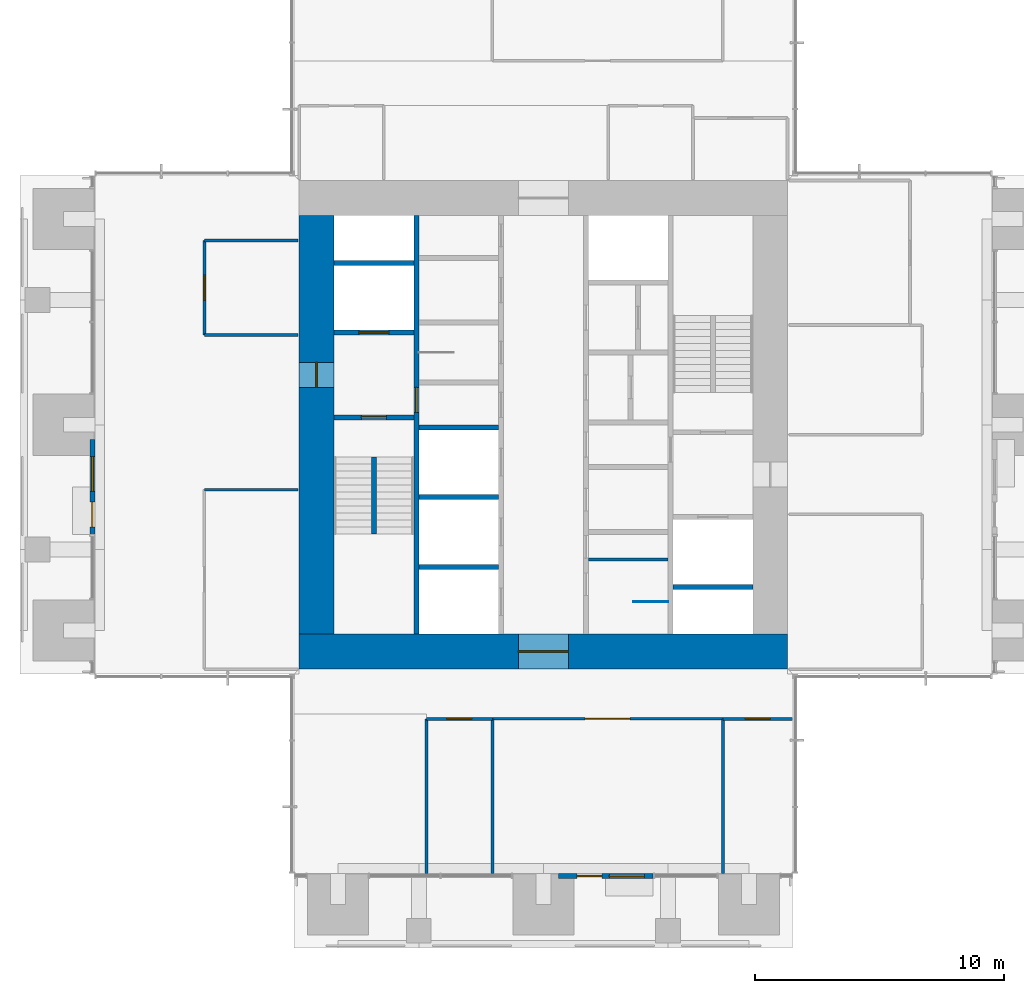
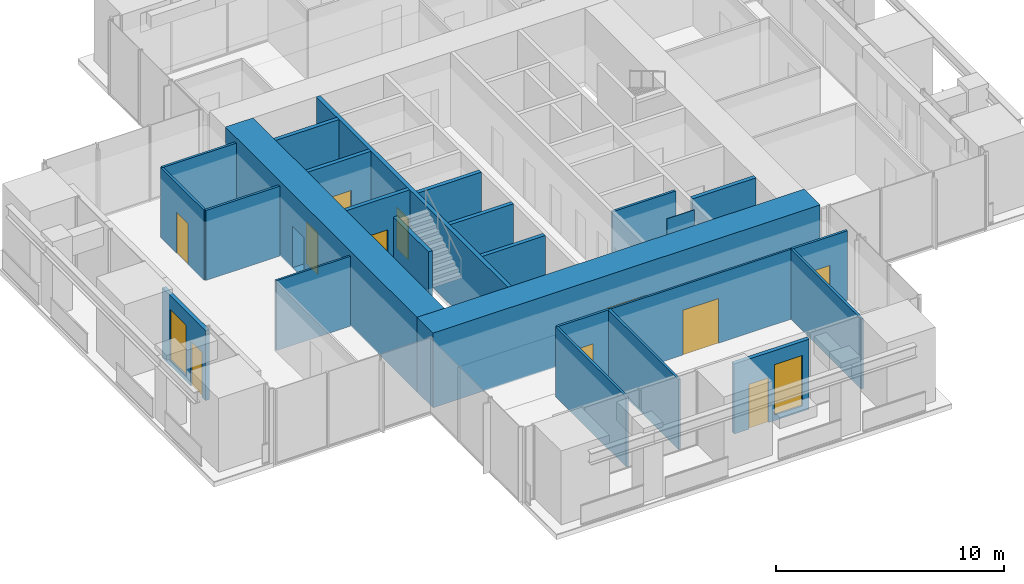
# One storey, part 12 of 17: 25 walls, 11 doors, 2 windows, 13 openings.
"""IFC4 building model written with IfcOpenShell, lengths in metres."""

from ifc_helpers import new_model, si_unit, direction, frame, frame_2d, origin, place, context, subcontext, project, spatial, rectangle, extrude, material, layer, layer_set, type_object, element, fill, save


model = new_model("IFC4")

# Units and contexts
model_context = context("Model", 3, precision=1e-05, world=origin(), true_north=direction((0.0, 1.0)))
body_context = subcontext(model_context, "Body", "Model", "MODEL_VIEW")
ifc_project = project(units=[si_unit("LENGTHUNIT", "METRE"), si_unit("AREAUNIT", "SQUARE_METRE"), si_unit("VOLUMEUNIT", "CUBIC_METRE"), si_unit("PLANEANGLEUNIT", "RADIAN"), si_unit("MASSUNIT", "GRAM", prefix="KILO")], contexts=[model_context])

# Site, building, storey
site_placement = place(None, origin())
site = spatial("IfcSite", under=ifc_project, at=site_placement, CompositionType="ELEMENT")
building_placement = place(site_placement, origin())
building = spatial("IfcBuilding", under=site, at=building_placement, Name="Svetlomir Tower", CompositionType="ELEMENT")
storey_placement = place(building_placement, frame((0.0, 0.0, 170.5)))
storey = spatial("IfcBuildingStorey", under=building, at=storey_placement, Name="L40", CompositionType="ELEMENT", Elevation=170.5)

# Wall, openings, door, window
ifc_material_1 = material(Name="Bronze anodised aluminium glazed screen", Category="aluminium")
ifc_layer_1 = layer(ifc_material_1, 0.199951171875)
ifc_layer_set_1 = layer_set([ifc_layer_1], Name="Bronze anodised aluminium glazed screen")
wall_type_1 = type_object("IfcWallType", Name="BALCONY SCREEN WALL 200", PredefinedType="USERDEFINED", material=ifc_layer_set_1)
wall_1_placement = place(storey_placement, frame((21.60009765625, 2.89990234375, 0.0), z_axis=(0.0, 0.0, 1.0), x_axis=(1.0, 0.0, 0.0)))
wall_1 = element("IfcWall", 1, at=wall_1_placement, inside=storey, type_object=wall_type_1, Name="Balcony screen S", ObjectType="GLAZED SCREEN", PredefinedType="USERDEFINED", context=body_context, shape_type="SweptSolid", body=[
    extrude(rectangle(XDim=3.7998046875, YDim=0.199951171875, at=frame_2d((1.89990234375, 0.0))), origin(), (0.0, 0.0, 1.0), 3.75),
])
opening_1_placement = place(wall_1_placement, frame((0.75, 0.0, 0.0)))
opening_1 = element("IfcOpeningElement", 2, at=opening_1_placement, cuts=wall_1, Name="Opening BD", PredefinedType="OPENING", context=body_context, shape_type="SweptSolid", body=[
    extrude(rectangle(XDim=1.0, YDim=2.39990234375, at=frame_2d((0.5, 1.199951171875))), frame((0.0, 0.10986328125, 0.0), z_axis=(0.0, -1.0, 0.0), x_axis=(1.0, 0.0, 0.0)), (0.0, 0.0, 1.0), 0.219970703125),
])
opening_2_placement = place(wall_1_placement, frame((2.050048828125, 0.0, 0.300048828125)))
opening_2 = element("IfcOpeningElement", 3, at=opening_2_placement, cuts=wall_1, Name="Opening WS2", PredefinedType="OPENING", context=body_context, shape_type="SweptSolid", body=[
    extrude(rectangle(XDim=1.39990234375, YDim=2.699951171875, at=frame_2d((0.699951171875, 1.35009765625))), frame((0.0, 0.10986328125, 0.0), z_axis=(0.0, -1.0, 0.0), x_axis=(1.0, 0.0, 0.0)), (0.0, 0.0, 1.0), 0.219970703125),
])
ifc_material_2 = material(Name="Bronze anodised aluminium glazed door", Category="aluminium")
door_type_1 = type_object("IfcDoorType", Name="BALCONY DOOR BD 1000x2400", OperationType="SINGLE_SWING_LEFT", PredefinedType="DOOR", material=ifc_material_2)
door_1_placement = place(opening_1_placement, origin())
door_1 = element("IfcDoor", 4, at=door_1_placement, inside=storey, type_object=door_type_1, Name="Balcony screen S door", OperationType="SINGLE_SWING_LEFT", OverallHeight=2.39990234375, OverallWidth=1.0, PredefinedType="DOOR", context=body_context, shape_type="SweptSolid", body=[
    extrude(rectangle(XDim=1.0, YDim=2.39990234375, at=frame_2d((0.5, 1.199951171875))), frame((0.0, 0.02490234375, 0.0), z_axis=(0.0, -1.0, 0.0), x_axis=(1.0, 0.0, 0.0)), (0.0, 0.0, 1.0), 0.050048828125),
])
fill(opening_1, door_1)
ifc_material_3 = material(Name="Bronze anodised aluminium window", Category="aluminium")
window_type = type_object("IfcWindowType", Name="SCREEN WINDOW WS2 1400x2700", PartitioningType="SINGLE_PANEL", PredefinedType="WINDOW", material=ifc_material_3)
window_1_placement = place(opening_2_placement, origin())
window_1 = element("IfcWindow", 5, at=window_1_placement, inside=storey, type_object=window_type, Name="Balcony screen S window 1", OverallHeight=2.699951171875, OverallWidth=1.39990234375, PartitioningType="SINGLE_PANEL", PredefinedType="WINDOW", context=body_context, shape_type="SweptSolid", body=[
    extrude(rectangle(XDim=1.39990234375, YDim=2.699951171875, at=frame_2d((0.699951171875, 1.35009765625))), frame((0.0, 0.030029296875, 0.0), z_axis=(0.0, -1.0, 0.0), x_axis=(1.0, 0.0, 0.0)), (0.0, 0.0, 1.0), 0.06005859375),
])
fill(opening_2, window_1)

wall_2_placement = place(storey_placement, frame((2.89990234375, 20.39990234375, 0.0), z_axis=(0.0, 0.0, 1.0), x_axis=(0.0, -1.0, 0.0)))
wall_2 = element("IfcWall", 6, at=wall_2_placement, inside=storey, type_object=wall_type_1, Name="Balcony screen W", ObjectType="GLAZED SCREEN", PredefinedType="USERDEFINED", context=body_context, shape_type="SweptSolid", body=[
    extrude(rectangle(XDim=3.7998046875, YDim=0.199951171875, at=frame_2d((1.89990234375, 0.0))), origin(), (0.0, 0.0, 1.0), 3.75),
])
opening_3_placement = place(wall_2_placement, frame((2.5, 0.0, 0.0)))
opening_3 = element("IfcOpeningElement", 7, at=opening_3_placement, cuts=wall_2, Name="Opening BD", PredefinedType="OPENING", context=body_context, shape_type="SweptSolid", body=[
    extrude(rectangle(XDim=1.0, YDim=2.39990234375, at=frame_2d((0.5, 1.199951171875))), frame((0.0, 0.10986328125, 0.0), z_axis=(0.0, -1.0, 0.0), x_axis=(1.0, 0.0, 0.0)), (0.0, 0.0, 1.0), 0.219970703125),
])
opening_4_placement = place(wall_2_placement, frame((0.675048828125, 0.0, 0.300048828125)))
opening_4 = element("IfcOpeningElement", 8, at=opening_4_placement, cuts=wall_2, Name="Opening WS2", PredefinedType="OPENING", context=body_context, shape_type="SweptSolid", body=[
    extrude(rectangle(XDim=1.39990234375, YDim=2.699951171875, at=frame_2d((0.699951171875, 1.35009765625))), frame((0.0, 0.10986328125, 0.0), z_axis=(0.0, -1.0, 0.0), x_axis=(1.0, 0.0, 0.0)), (0.0, 0.0, 1.0), 0.219970703125),
])
door_2_placement = place(opening_3_placement, origin())
door_2 = element("IfcDoor", 9, at=door_2_placement, inside=storey, type_object=door_type_1, Name="Balcony screen W door", OperationType="SINGLE_SWING_LEFT", OverallHeight=2.39990234375, OverallWidth=1.0, PredefinedType="DOOR", context=body_context, shape_type="SweptSolid", body=[
    extrude(rectangle(XDim=1.0, YDim=2.39990234375, at=frame_2d((0.5, 1.199951171875))), frame((0.0, 0.02490234375, 0.0), z_axis=(0.0, -1.0, 0.0), x_axis=(1.0, 0.0, 0.0)), (0.0, 0.0, 1.0), 0.050048828125),
])
fill(opening_3, door_2)
window_2_placement = place(opening_4_placement, origin())
window_2 = element("IfcWindow", 10, at=window_2_placement, inside=storey, type_object=window_type, Name="Balcony screen W window 1", OverallHeight=2.699951171875, OverallWidth=1.39990234375, PartitioningType="SINGLE_PANEL", PredefinedType="WINDOW", context=body_context, shape_type="SweptSolid", body=[
    extrude(rectangle(XDim=1.39990234375, YDim=2.699951171875, at=frame_2d((0.699951171875, 1.35009765625))), frame((0.0, 0.030029296875, 0.0), z_axis=(0.0, -1.0, 0.0), x_axis=(1.0, 0.0, 0.0)), (0.0, 0.0, 1.0), 0.06005859375),
])
fill(opening_4, window_2)

# Wall, opening, door
ifc_material_4 = material(Name="Concrete C60/75", Category="concrete")
ifc_layer_2 = layer(ifc_material_4, 0.199951171875)
ifc_layer_set_2 = layer_set([ifc_layer_2], Name="Concrete C60/75")
wall_type_2 = type_object("IfcWallType", Name="CORE INNER WALL 200", PredefinedType="SHEAR", material=ifc_layer_set_2)
wall_3_placement = place(storey_placement, frame((15.89990234375, 12.60009765625, -0.050048828125), z_axis=(0.0, 0.0, 1.0), x_axis=(0.0, 1.0, 0.0)))
wall_3 = element("IfcWall", 11, at=wall_3_placement, inside=storey, type_object=wall_type_2, Name="Core inner wall 15.9 L40", PredefinedType="SHEAR", context=body_context, shape_type="SweptSolid", body=[
    extrude(rectangle(XDim=16.7998046875, YDim=0.199951171875, at=frame_2d((8.39990234375, 0.0))), origin(), (0.0, 0.0, 1.0), 4.0),
])
opening_5_placement = place(wall_3_placement, frame((8.89990234375, 0.0, 0.050048828125)))
opening_5 = element("IfcOpeningElement", 12, at=opening_5_placement, cuts=wall_3, Name="Opening DF", PredefinedType="OPENING", context=body_context, shape_type="SweptSolid", body=[
    extrude(rectangle(XDim=1.0, YDim=2.199951171875, at=frame_2d((0.5, 1.10009765625))), frame((0.0, 0.10986328125, 0.0), z_axis=(0.0, -1.0, 0.0), x_axis=(1.0, 0.0, 0.0)), (0.0, 0.0, 1.0), 0.219970703125),
])
ifc_material_5 = material(Name="Steel fire door", Category="steel")
door_type_2 = type_object("IfcDoorType", Name="DOOR DF 1000x2200", OperationType="SINGLE_SWING_LEFT", PredefinedType="DOOR", material=ifc_material_5)
door_3_placement = place(opening_5_placement, origin())
door_3 = element("IfcDoor", 13, at=door_3_placement, inside=storey, type_object=door_type_2, Name="Core corridor west door L40", OperationType="SINGLE_SWING_LEFT", OverallHeight=2.199951171875, OverallWidth=1.0, PredefinedType="DOOR", context=body_context, shape_type="SweptSolid", body=[
    extrude(rectangle(XDim=1.0, YDim=2.199951171875, at=frame_2d((0.5, 1.10009765625))), frame((0.0, 0.02490234375, 0.0), z_axis=(0.0, -1.0, 0.0), x_axis=(1.0, 0.0, 0.0)), (0.0, 0.0, 1.0), 0.050048828125),
])
fill(opening_5, door_3)

wall_4_placement = place(storey_placement, frame((12.60009765625, 21.300048828125, -0.050048828125), z_axis=(0.0, 0.0, 1.0), x_axis=(1.0, 0.0, 0.0)))
wall_4 = element("IfcWall", 14, at=wall_4_placement, inside=storey, type_object=wall_type_2, Name="Core inner wall 12.6-15.8/21.3 L40", PredefinedType="SHEAR", context=body_context, shape_type="SweptSolid", body=[
    extrude(rectangle(XDim=3.199951171875, YDim=0.199951171875, at=frame_2d((1.60009765625, 0.0))), origin(), (0.0, 0.0, 1.0), 4.0),
])
opening_6_placement = place(wall_4_placement, frame((1.10009765625, 0.0, 0.050048828125)))
opening_6 = element("IfcOpeningElement", 15, at=opening_6_placement, cuts=wall_4, Name="Opening DF", PredefinedType="OPENING", context=body_context, shape_type="SweptSolid", body=[
    extrude(rectangle(XDim=1.0, YDim=2.199951171875, at=frame_2d((0.5, 1.10009765625))), frame((0.0, 0.10986328125, 0.0), z_axis=(0.0, -1.0, 0.0), x_axis=(1.0, 0.0, 0.0)), (0.0, 0.0, 1.0), 0.219970703125),
])
door_4_placement = place(opening_6_placement, origin())
door_4 = element("IfcDoor", 16, at=door_4_placement, inside=storey, type_object=door_type_2, Name="Stair S1 door L40", OperationType="SINGLE_SWING_RIGHT", OverallHeight=2.199951171875, OverallWidth=1.0, PredefinedType="DOOR", context=body_context, shape_type="SweptSolid", body=[
    extrude(rectangle(XDim=1.0, YDim=2.199951171875, at=frame_2d((0.5, 1.10009765625))), frame((0.0, 0.02490234375, 0.0), z_axis=(0.0, -1.0, 0.0), x_axis=(1.0, 0.0, 0.0)), (0.0, 0.0, 1.0), 0.050048828125),
])
fill(opening_6, door_4)

wall_5_placement = place(storey_placement, frame((12.60009765625, 24.699951171875, -0.050048828125), z_axis=(0.0, 0.0, 1.0), x_axis=(1.0, 0.0, 0.0)))
wall_5 = element("IfcWall", 17, at=wall_5_placement, inside=storey, type_object=wall_type_2, Name="Core inner wall 12.6-15.8/24.7 L40", PredefinedType="SHEAR", context=body_context, shape_type="SweptSolid", body=[
    extrude(rectangle(XDim=3.199951171875, YDim=0.199951171875, at=frame_2d((1.60009765625, 0.0))), origin(), (0.0, 0.0, 1.0), 4.0),
])
opening_7_placement = place(wall_5_placement, frame((1.0, 0.0, 0.050048828125)))
opening_7 = element("IfcOpeningElement", 18, at=opening_7_placement, cuts=wall_5, Name="Opening LD3", PredefinedType="OPENING", context=body_context, shape_type="SweptSolid", body=[
    extrude(rectangle(XDim=1.199951171875, YDim=2.199951171875, at=frame_2d((0.60009765625, 1.10009765625))), frame((0.0, 0.10986328125, 0.0), z_axis=(0.0, -1.0, 0.0), x_axis=(1.0, 0.0, 0.0)), (0.0, 0.0, 1.0), 0.219970703125),
])
ifc_material_6 = material(Name="Stainless steel fire-rated landing door", Category="steel")
door_type_3 = type_object("IfcDoorType", Name="FIREFIGHTING LIFT LANDING DOOR LD3 1200x2200", OperationType="DOUBLE_DOOR_SLIDING", PredefinedType="DOOR", material=ifc_material_6)
door_5_placement = place(opening_7_placement, origin())
door_5 = element("IfcDoor", 19, at=door_5_placement, inside=storey, type_object=door_type_3, Name="Landing door lift FL1 L40", OperationType="DOUBLE_DOOR_SLIDING", OverallHeight=2.199951171875, OverallWidth=1.199951171875, PredefinedType="DOOR", context=body_context, shape_type="SweptSolid", body=[
    extrude(rectangle(XDim=1.199951171875, YDim=2.199951171875, at=frame_2d((0.60009765625, 1.10009765625))), frame((0.0, 0.02490234375, 0.0), z_axis=(0.0, -1.0, 0.0), x_axis=(1.0, 0.0, 0.0)), (0.0, 0.0, 1.0), 0.050048828125),
])
fill(opening_7, door_5)

# Walls
for number, where, z_axis, x_axis, name in (
    (20, (12.60009765625, 27.5, -0.050048828125), (0.0, 0.0, 1.0), (1.0, 0.0, 0.0), "Core inner wall 12.6-15.8/27.5 L40"),
    (21, (16.0, 15.300048828125, -0.050048828125), (0.0, 0.0, 1.0), (1.0, 0.0, 0.0), "Core inner wall 16-19.2/15.3 L40"),
    (22, (16.0, 18.10009765625, -0.050048828125), (0.0, 0.0, 1.0), (1.0, 0.0, 0.0), "Core inner wall 16-19.2/18.1 L40"),
    (23, (16.0, 20.89990234375, -0.050048828125), (0.0, 0.0, 1.0), (1.0, 0.0, 0.0), "Core inner wall 16-19.2/20.9 L40"),
    (24, (26.199951171875, 14.5, -0.050048828125), (0.0, 0.0, 1.0), (1.0, 0.0, 0.0), "Core inner wall 26.2-29.4/14.5 L40"),
):
    element("IfcWall", number, at=place(storey_placement, frame(where, z_axis=z_axis, x_axis=x_axis)), inside=storey, type_object=wall_type_2, Name=name, PredefinedType="SHEAR", context=body_context, shape_type="SweptSolid", body=[
        extrude(rectangle(XDim=3.199951171875, YDim=0.199951171875, at=frame_2d((1.60009765625, 0.0))), origin(), (0.0, 0.0, 1.0), 4.0),
    ])

# Wall, opening, door
ifc_material_7 = material(Name="Concrete C60/75", Category="concrete")
ifc_layer_3 = layer(ifc_material_7, 1.39990234375)
ifc_layer_set_3 = layer_set([ifc_layer_3], Name="Concrete C60/75")
wall_type_3 = type_object("IfcWallType", Name="CORE WALL 1400", PredefinedType="SHEAR", material=ifc_layer_set_3)
wall_6_placement = place(storey_placement, frame((11.199951171875, 11.89990234375, -0.050048828125), z_axis=(0.0, 0.0, 1.0), x_axis=(1.0, 0.0, 0.0)))
wall_6 = element("IfcWall", 25, at=wall_6_placement, inside=storey, type_object=wall_type_3, Name="Core wall south L40", PredefinedType="SHEAR", context=body_context, shape_type="SweptSolid", body=[
    extrude(rectangle(XDim=19.60009765625, YDim=1.39990234375, at=frame_2d((9.800048828125, 0.0))), origin(), (0.0, 0.0, 1.0), 4.0),
])
opening_8_placement = place(wall_6_placement, frame((8.800048828125, 0.0, 0.050048828125)))
opening_8 = element("IfcOpeningElement", 26, at=opening_8_placement, cuts=wall_6, Name="Opening DL", PredefinedType="OPENING", context=body_context, shape_type="SweptSolid", body=[
    extrude(rectangle(XDim=2.0, YDim=2.199951171875, at=frame_2d((1.0, 1.10009765625))), frame((0.0, 0.7099609375, 0.0), z_axis=(0.0, -1.0, 0.0), x_axis=(1.0, 0.0, 0.0)), (0.0, 0.0, 1.0), 1.419921875),
])
ifc_material_8 = material(Name="Steel fire door", Category="steel")
door_type_4 = type_object("IfcDoorType", Name="DOOR DL 2000x2200", OperationType="DOUBLE_DOOR_SINGLE_SWING", PredefinedType="DOOR", material=ifc_material_8)
door_6_placement = place(opening_8_placement, origin())
door_6 = element("IfcDoor", 27, at=door_6_placement, inside=storey, type_object=door_type_4, Name="Lift lobby south door L40", OperationType="DOUBLE_DOOR_SINGLE_SWING", OverallHeight=2.199951171875, OverallWidth=2.0, PredefinedType="DOOR", context=body_context, shape_type="SweptSolid", body=[
    extrude(rectangle(XDim=2.0, YDim=2.199951171875, at=frame_2d((1.0, 1.10009765625))), frame((0.0, 0.02490234375, 0.0), z_axis=(0.0, -1.0, 0.0), x_axis=(1.0, 0.0, 0.0)), (0.0, 0.0, 1.0), 0.050048828125),
])
fill(opening_8, door_6)

wall_7_placement = place(storey_placement, frame((11.89990234375, 12.60009765625, -0.050048828125), z_axis=(0.0, 0.0, 1.0), x_axis=(0.0, 1.0, 0.0)))
wall_7 = element("IfcWall", 28, at=wall_7_placement, inside=storey, type_object=wall_type_3, Name="Core wall west L40", PredefinedType="SHEAR", context=body_context, shape_type="SweptSolid", body=[
    extrude(rectangle(XDim=16.7998046875, YDim=1.39990234375, at=frame_2d((8.39990234375, 0.0))), origin(), (0.0, 0.0, 1.0), 4.0),
])
opening_9_placement = place(wall_7_placement, frame((9.89990234375, 0.0, 0.050048828125)))
opening_9 = element("IfcOpeningElement", 29, at=opening_9_placement, cuts=wall_7, Name="Opening DF", PredefinedType="OPENING", context=body_context, shape_type="SweptSolid", body=[
    extrude(rectangle(XDim=1.0, YDim=2.199951171875, at=frame_2d((0.5, 1.10009765625))), frame((0.0, 0.7099609375, 0.0), z_axis=(0.0, -1.0, 0.0), x_axis=(1.0, 0.0, 0.0)), (0.0, 0.0, 1.0), 1.419921875),
])
door_7_placement = place(opening_9_placement, origin())
door_7 = element("IfcDoor", 30, at=door_7_placement, inside=storey, type_object=door_type_2, Name="Firefighting lobby west door L40", OperationType="SINGLE_SWING_RIGHT", OverallHeight=2.199951171875, OverallWidth=1.0, PredefinedType="DOOR", context=body_context, shape_type="SweptSolid", body=[
    extrude(rectangle(XDim=1.0, YDim=2.199951171875, at=frame_2d((0.5, 1.10009765625))), frame((0.0, 0.02490234375, 0.0), z_axis=(0.0, -1.0, 0.0), x_axis=(1.0, 0.0, 0.0)), (0.0, 0.0, 1.0), 0.050048828125),
])
fill(opening_9, door_7)

# Wall
ifc_material_9 = material(Name="Framed laminated glass partition", Category="glass")
ifc_layer_4 = layer(ifc_material_9, 0.10009765625)
ifc_layer_set_4 = layer_set([ifc_layer_4], Name="Framed laminated glass partition")
wall_type_4 = type_object("IfcWallType", Name="GLAZED PARTITION 100", PredefinedType="PARTITIONING", material=ifc_layer_set_4)
wall_8_placement = place(storey_placement, frame((7.39990234375, 18.39990234375, 0.0), z_axis=(0.0, 0.0, 1.0), x_axis=(1.0, 0.0, 0.0)))
element("IfcWall", 31, at=wall_8_placement, inside=storey, type_object=wall_type_4, Name="Glazed partition L40", PredefinedType="PARTITIONING", context=body_context, shape_type="SweptSolid", body=[
    extrude(rectangle(XDim=3.75, YDim=0.10009765625, at=frame_2d((1.875, 0.0))), origin(), (0.0, 0.0, 1.0), 3.75),
])

# Wall, opening, door
wall_9_placement = place(storey_placement, frame((18.949951171875, 9.199951171875, 0.0), z_axis=(0.0, 0.0, 1.0), x_axis=(1.0, 0.0, 0.0)))
wall_9 = element("IfcWall", 32, at=wall_9_placement, inside=storey, type_object=wall_type_4, Name="Glazed partition L40", PredefinedType="PARTITIONING", context=body_context, shape_type="SweptSolid", body=[
    extrude(rectangle(XDim=9.25, YDim=0.10009765625, at=frame_2d((4.625, 0.0))), origin(), (0.0, 0.0, 1.0), 3.75),
])
opening_10_placement = place(wall_9_placement, frame((3.72509765625, 0.0, 0.0)))
opening_10 = element("IfcOpeningElement", 33, at=opening_10_placement, cuts=wall_9, Name="Opening DD", PredefinedType="OPENING", context=body_context, shape_type="SweptSolid", body=[
    extrude(rectangle(XDim=1.800048828125, YDim=2.39990234375, at=frame_2d((0.89990234375, 1.199951171875))), frame((0.0, 0.06005859375, 0.0), z_axis=(0.0, -1.0, 0.0), x_axis=(1.0, 0.0, 0.0)), (0.0, 0.0, 1.0), 0.1201171875),
])
ifc_material_10 = material(Name="Timber door", Category="wood")
door_type_5 = type_object("IfcDoorType", Name="DOOR DD 1800x2400", OperationType="DOUBLE_DOOR_SINGLE_SWING", PredefinedType="DOOR", material=ifc_material_10)
door_8_placement = place(opening_10_placement, origin())
door_8 = element("IfcDoor", 34, at=door_8_placement, inside=storey, type_object=door_type_5, Name="Demo and pitch room, 20 seats door L40", OperationType="DOUBLE_DOOR_SINGLE_SWING", OverallHeight=2.39990234375, OverallWidth=1.800048828125, PredefinedType="DOOR", context=body_context, shape_type="SweptSolid", body=[
    extrude(rectangle(XDim=1.800048828125, YDim=2.39990234375, at=frame_2d((0.89990234375, 1.199951171875))), frame((0.0, 0.02490234375, 0.0), z_axis=(0.0, -1.0, 0.0), x_axis=(1.0, 0.0, 0.0)), (0.0, 0.0, 1.0), 0.050048828125),
])
fill(opening_10, door_8)

# Wall
ifc_material_11 = material(Name="Gypsum board on steel studs", Category="steel")
ifc_layer_5 = layer(ifc_material_11, 0.1201171875)
ifc_layer_set_5 = layer_set([ifc_layer_5], Name="Gypsum board on steel studs")
wall_type_5 = type_object("IfcWallType", Name="PARTITION 120", PredefinedType="PARTITIONING", material=ifc_layer_set_5)
wall_10_placement = place(storey_placement, frame((22.800048828125, 15.60009765625, 0.0), z_axis=(0.0, 0.0, 1.0), x_axis=(1.0, 0.0, 0.0)))
element("IfcWall", 35, at=wall_10_placement, inside=storey, type_object=wall_type_5, Name="Shower room partition L40", PredefinedType="PARTITIONING", context=body_context, shape_type="SweptSolid", body=[
    extrude(rectangle(XDim=3.199951171875, YDim=0.1201171875, at=frame_2d((1.60009765625, 0.0))), origin(), (0.0, 0.0, 1.0), 3.75),
])

# Wall, opening, door
wall_11_placement = place(storey_placement, frame((7.39990234375, 24.60009765625, 0.0), z_axis=(0.0, 0.0, 1.0), x_axis=(0.0, 1.0, 0.0)))
wall_11 = element("IfcWall", 36, at=wall_11_placement, inside=storey, type_object=wall_type_5, Name="Partition L40", PredefinedType="PARTITIONING", context=body_context, shape_type="SweptSolid", body=[
    extrude(rectangle(XDim=3.7998046875, YDim=0.1201171875, at=frame_2d((1.89990234375, 0.0))), origin(), (0.0, 0.0, 1.0), 3.75),
])
opening_11_placement = place(wall_11_placement, frame((1.39990234375, 0.0, 0.0)))
opening_11 = element("IfcOpeningElement", 37, at=opening_11_placement, cuts=wall_11, Name="Opening DR", PredefinedType="OPENING", context=body_context, shape_type="SweptSolid", body=[
    extrude(rectangle(XDim=1.0, YDim=2.199951171875, at=frame_2d((0.5, 1.10009765625))), frame((0.0, 0.070068359375, 0.0), z_axis=(0.0, -1.0, 0.0), x_axis=(1.0, 0.0, 0.0)), (0.0, 0.0, 1.0), 0.14013671875),
])
ifc_material_12 = material(Name="Timber door, glazed side light", Category="wood")
door_type_6 = type_object("IfcDoorType", Name="DOOR DR 1000x2200", OperationType="SINGLE_SWING_LEFT", PredefinedType="DOOR", material=ifc_material_12)
door_9_placement = place(opening_11_placement, origin())
door_9 = element("IfcDoor", 38, at=door_9_placement, inside=storey, type_object=door_type_6, Name="Founders' office door L40", OperationType="SINGLE_SWING_RIGHT", OverallHeight=2.199951171875, OverallWidth=1.0, PredefinedType="DOOR", context=body_context, shape_type="SweptSolid", body=[
    extrude(rectangle(XDim=1.0, YDim=2.199951171875, at=frame_2d((0.5, 1.10009765625))), frame((0.0, 0.02490234375, 0.0), z_axis=(0.0, -1.0, 0.0), x_axis=(1.0, 0.0, 0.0)), (0.0, 0.0, 1.0), 0.050048828125),
])
fill(opening_11, door_9)

# Walls
for number, where, z_axis, x_axis, name in (
    (39, (7.39990234375, 24.60009765625, 0.0), (0.0, 0.0, 1.0), (1.0, 0.0, 0.0), "Partition L40"),
    (40, (7.39990234375, 28.39990234375, 0.0), (0.0, 0.0, 1.0), (1.0, 0.0, 0.0), "Partition L40"),
):
    element("IfcWall", number, at=place(storey_placement, frame(where, z_axis=z_axis, x_axis=x_axis)), inside=storey, type_object=wall_type_5, Name=name, PredefinedType="PARTITIONING", context=body_context, shape_type="SweptSolid", body=[
        extrude(rectangle(XDim=3.75, YDim=0.1201171875, at=frame_2d((1.875, 0.0))), origin(), (0.0, 0.0, 1.0), 3.75),
    ])
wall_12_placement = place(storey_placement, frame((16.300048828125, 3.0, 0.0), z_axis=(0.0, 0.0, 1.0), x_axis=(0.0, 1.0, 0.0)))
element("IfcWall", 41, at=wall_12_placement, inside=storey, type_object=wall_type_5, Name="Partition L40", PredefinedType="PARTITIONING", context=body_context, shape_type="SweptSolid", body=[
    extrude(rectangle(XDim=6.199951171875, YDim=0.1201171875, at=frame_2d((3.10009765625, 0.0))), origin(), (0.0, 0.0, 1.0), 3.75),
])

# Wall, opening, door
wall_13_placement = place(storey_placement, frame((16.300048828125, 9.199951171875, 0.0), z_axis=(0.0, 0.0, 1.0), x_axis=(1.0, 0.0, 0.0)))
wall_13 = element("IfcWall", 42, at=wall_13_placement, inside=storey, type_object=wall_type_5, Name="Partition L40", PredefinedType="PARTITIONING", context=body_context, shape_type="SweptSolid", body=[
    extrude(rectangle(XDim=2.64990234375, YDim=0.1201171875, at=frame_2d((1.324951171875, 0.0))), origin(), (0.0, 0.0, 1.0), 3.75),
])
opening_12_placement = place(wall_13_placement, frame((0.824951171875, 0.0, 0.0)))
opening_12 = element("IfcOpeningElement", 43, at=opening_12_placement, cuts=wall_13, Name="Opening DR", PredefinedType="OPENING", context=body_context, shape_type="SweptSolid", body=[
    extrude(rectangle(XDim=1.0, YDim=2.199951171875, at=frame_2d((0.5, 1.10009765625))), frame((0.0, 0.070068359375, 0.0), z_axis=(0.0, -1.0, 0.0), x_axis=(1.0, 0.0, 0.0)), (0.0, 0.0, 1.0), 0.14013671875),
])
door_10_placement = place(opening_12_placement, origin())
door_10 = element("IfcDoor", 44, at=door_10_placement, inside=storey, type_object=door_type_6, Name="Venture partner office 1 door L40", OperationType="SINGLE_SWING_LEFT", OverallHeight=2.199951171875, OverallWidth=1.0, PredefinedType="DOOR", context=body_context, shape_type="SweptSolid", body=[
    extrude(rectangle(XDim=1.0, YDim=2.199951171875, at=frame_2d((0.5, 1.10009765625))), frame((0.0, 0.02490234375, 0.0), z_axis=(0.0, -1.0, 0.0), x_axis=(1.0, 0.0, 0.0)), (0.0, 0.0, 1.0), 0.050048828125),
])
fill(opening_12, door_10)

# Walls
for number, where, z_axis, x_axis, name in (
    (45, (18.949951171875, 3.0, 0.0), (0.0, 0.0, 1.0), (0.0, 1.0, 0.0), "Partition L40"),
    (46, (28.199951171875, 3.0, 0.0), (0.0, 0.0, 1.0), (0.0, 1.0, 0.0), "Partition L40"),
):
    element("IfcWall", number, at=place(storey_placement, frame(where, z_axis=z_axis, x_axis=x_axis)), inside=storey, type_object=wall_type_5, Name=name, PredefinedType="PARTITIONING", context=body_context, shape_type="SweptSolid", body=[
        extrude(rectangle(XDim=6.199951171875, YDim=0.1201171875, at=frame_2d((3.10009765625, 0.0))), origin(), (0.0, 0.0, 1.0), 3.75),
    ])

# Wall, opening, door
wall_14_placement = place(storey_placement, frame((28.199951171875, 9.199951171875, 0.0), z_axis=(0.0, 0.0, 1.0), x_axis=(1.0, 0.0, 0.0)))
wall_14 = element("IfcWall", 47, at=wall_14_placement, inside=storey, type_object=wall_type_5, Name="Partition L40", PredefinedType="PARTITIONING", context=body_context, shape_type="SweptSolid", body=[
    extrude(rectangle(XDim=2.800048828125, YDim=0.1201171875, at=frame_2d((1.39990234375, 0.0))), origin(), (0.0, 0.0, 1.0), 3.75),
])
opening_13_placement = place(wall_14_placement, frame((0.89990234375, 0.0, 0.0)))
opening_13 = element("IfcOpeningElement", 48, at=opening_13_placement, cuts=wall_14, Name="Opening DR", PredefinedType="OPENING", context=body_context, shape_type="SweptSolid", body=[
    extrude(rectangle(XDim=1.0, YDim=2.199951171875, at=frame_2d((0.5, 1.10009765625))), frame((0.0, 0.070068359375, 0.0), z_axis=(0.0, -1.0, 0.0), x_axis=(1.0, 0.0, 0.0)), (0.0, 0.0, 1.0), 0.14013671875),
])
door_11_placement = place(opening_13_placement, origin())
door_11 = element("IfcDoor", 49, at=door_11_placement, inside=storey, type_object=door_type_6, Name="Venture partner office 2 door L40", OperationType="SINGLE_SWING_LEFT", OverallHeight=2.199951171875, OverallWidth=1.0, PredefinedType="DOOR", context=body_context, shape_type="SweptSolid", body=[
    extrude(rectangle(XDim=1.0, YDim=2.199951171875, at=frame_2d((0.5, 1.10009765625))), frame((0.0, 0.02490234375, 0.0), z_axis=(0.0, -1.0, 0.0), x_axis=(1.0, 0.0, 0.0)), (0.0, 0.0, 1.0), 0.050048828125),
])
fill(opening_13, door_11)

# Walls
ifc_material_13 = material(Name="Concrete C60/75", Category="concrete")
ifc_layer_6 = layer(ifc_material_13, 0.199951171875)
ifc_layer_set_6 = layer_set([ifc_layer_6], Name="Concrete C60/75")
wall_type_6 = type_object("IfcWallType", Name="STAIR SPINE WALL 200", PredefinedType="PARTITIONING", material=ifc_layer_set_6)
wall_15_placement = place(storey_placement, frame((14.199951171875, 16.6201171875, 0.0), z_axis=(0.0, 0.0, 1.0), x_axis=(0.0, 1.0, 0.0)))
element("IfcWall", 50, at=wall_15_placement, inside=storey, type_object=wall_type_6, Name="Stair S1 spine wall L40", PredefinedType="PARTITIONING", context=body_context, shape_type="SweptSolid", body=[
    extrude(rectangle(XDim=3.079833984375, YDim=0.199951171875, at=frame_2d((1.5400390625, 0.0))), origin(), (0.0, 0.0, 1.0), 4.0),
])
ifc_material_14 = material(Name="Compact laminate panel", Category="plastic")
ifc_layer_7 = layer(ifc_material_14, 0.030029296875)
ifc_layer_set_7 = layer_set([ifc_layer_7], Name="Compact laminate panel")
wall_type_7 = type_object("IfcWallType", Name="WC CUBICLE PARTITION 30", PredefinedType="PARTITIONING", material=ifc_layer_set_7)
wall_16_placement = place(storey_placement, frame((24.60009765625, 13.89990234375, 0.0), z_axis=(0.0, 0.0, 1.0), x_axis=(1.0, 0.0, 0.0)))
element("IfcWall", 51, at=wall_16_placement, inside=storey, type_object=wall_type_7, Name="WC cubicle partition L40", PredefinedType="PARTITIONING", context=body_context, shape_type="SweptSolid", body=[
    extrude(rectangle(XDim=1.39990234375, YDim=0.030029296875, at=frame_2d((0.699951171875, 0.0))), origin(), (0.0, 0.0, 1.0), 3.75),
])

save(model, "model.ifc")
